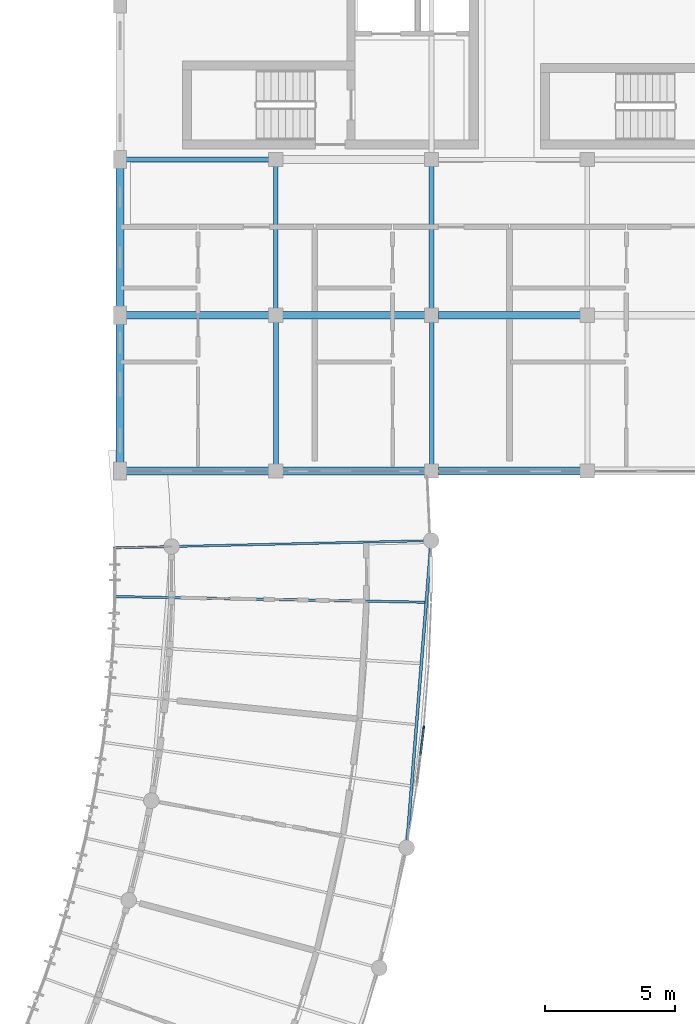
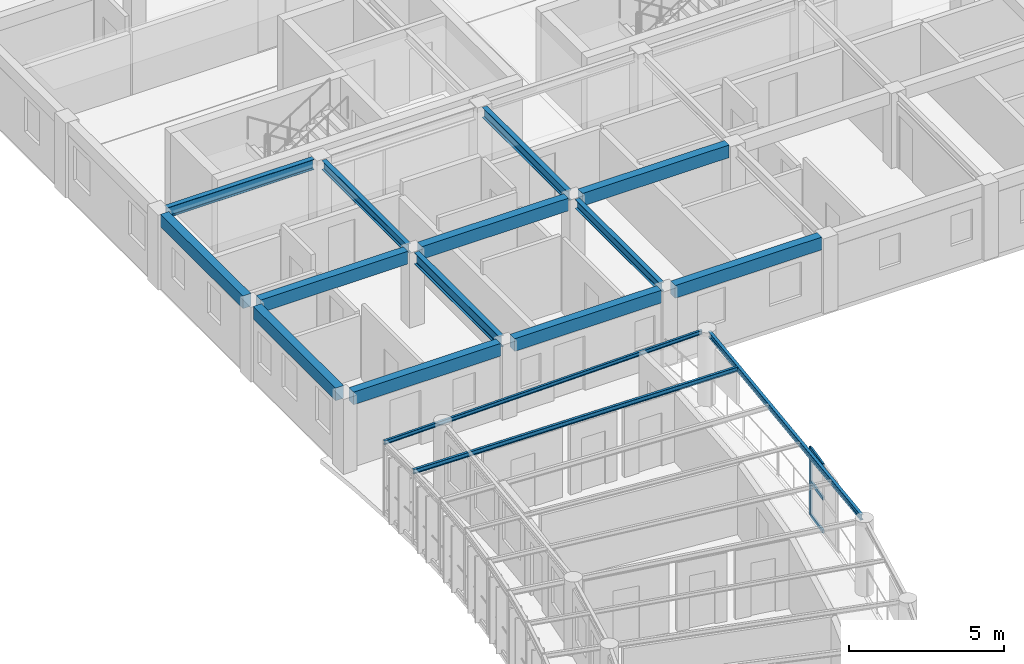
# One storey, part 24 of 101: 16 beams, 4 members, 1 element without a shape of its own.
"""IFC4 building model written with IfcOpenShell, lengths in metres."""

from ifc_helpers import new_model, si_unit, direction, frame, origin, origin_2d, place, context, subcontext, project, spatial, rectangle, i_section, extrude, material, layer, layer_set, material_profile, profile_set, type_object, element, aggregate, save


model = new_model("IFC4")

# Units and contexts
model_context = context("Model", 3, precision=1e-05, world=origin(), true_north=direction((0.0, 1.0)))
body_context = subcontext(model_context, "Body", "Model", "MODEL_VIEW")
ifc_project = project(units=[si_unit("LENGTHUNIT", "METRE"), si_unit("AREAUNIT", "SQUARE_METRE"), si_unit("VOLUMEUNIT", "CUBIC_METRE"), si_unit("PLANEANGLEUNIT", "RADIAN"), si_unit("MASSUNIT", "GRAM", prefix="KILO"), si_unit("POWERUNIT", "WATT"), si_unit("THERMODYNAMICTEMPERATUREUNIT", "KELVIN")], contexts=[model_context])

# Site, building, storey
site_placement = place(None, origin())
site = spatial("IfcSite", under=ifc_project, at=site_placement, CompositionType="ELEMENT")
building_placement = place(site_placement, origin())
building = spatial("IfcBuilding", under=site, at=building_placement, Name="Ruvembo Vaulted Housing Court", CompositionType="ELEMENT")
storey_placement = place(building_placement, frame((0.0, 0.0, 17.300048828125)))
storey = spatial("IfcBuildingStorey", under=building, at=storey_placement, Name="L05", CompositionType="ELEMENT", Elevation=17.300048828125)

# Beams
ifc_material_1 = material(Name="Steel S355J2", Category="steel")
ifc_material_profile_1 = material_profile(ifc_material_1, i_section(OverallWidth=0.08203125, OverallDepth=0.159912109375, WebThickness=0.0048828125, FlangeThickness=0.00732421875, FilletRadius=0.009033203125, at=origin_2d()), Name="IPE 160")
ifc_profile_set_1 = profile_set([ifc_material_profile_1], Name="Steel S355J2")
beam_type_1 = type_object("IfcBeamType", Name="BM-ST-IPE160", PredefinedType="JOIST", material=ifc_profile_set_1)
beam_1_placement = place(storey_placement, frame((59.794921875, 75.31591796875, 2.85205078125), z_axis=(-0.999741123788, -0.022752701078, 0.0), x_axis=(0.022752701078, -0.999741123788, 0.0)))
element("IfcBeam", 1, at=beam_1_placement, inside=storey, type_object=beam_type_1, Name="Scoop SC1 L05 Radial Steel Joist 19", PredefinedType="JOIST", context=body_context, shape_type="SweptSolid", body=[
    extrude(i_section(OverallWidth=0.08203125, OverallDepth=0.159912109375, WebThickness=0.0048828125, FlangeThickness=0.00732421875, FilletRadius=0.009033203125, at=origin_2d()), origin(), (0.0, 0.0, 1.0), 12.050048828125),
])
ifc_material_profile_2 = material_profile(ifc_material_1, i_section(OverallWidth=0.091064453125, OverallDepth=0.179931640625, WebThickness=0.00537109375, FlangeThickness=0.008056640625, FilletRadius=0.009033203125, at=origin_2d()), Name="IPE 180")
ifc_profile_set_2 = profile_set([ifc_material_profile_2], Name="Steel S355J2")
beam_type_2 = type_object("IfcBeamType", Name="BM-ST-IPE180", PredefinedType="JOIST", material=ifc_profile_set_2)
beam_2_placement = place(storey_placement, frame((59.74560546875, 72.9482421875, 2.842041015625), z_axis=(-0.999834442166, 0.018195830781, 0.0), x_axis=(-0.018195830781, -0.999834442166, 0.0)))
element("IfcBeam", 2, at=beam_2_placement, inside=storey, type_object=beam_type_2, Name="Scoop SC1 L05 Radial Steel Joist 18", PredefinedType="JOIST", context=body_context, shape_type="SweptSolid", body=[
    extrude(i_section(OverallWidth=0.091064453125, OverallDepth=0.179931640625, WebThickness=0.00537109375, FlangeThickness=0.008056640625, FilletRadius=0.009033203125, at=origin_2d()), origin(), (0.0, 0.0, 1.0), 11.9951171875),
])
ifc_material_profile_3 = material_profile(ifc_material_1, i_section(OverallWidth=0.110107421875, OverallDepth=0.219970703125, WebThickness=0.005859375, FlangeThickness=0.00927734375, FilletRadius=0.011962890625, at=origin_2d()), Name="IPE 220")
ifc_profile_set_3 = profile_set([ifc_material_profile_3], Name="Steel S355J2")
beam_type_3 = type_object("IfcBeamType", Name="BM-ST-IPE220", PredefinedType="SPANDREL", material=ifc_profile_set_3)
beam_3_placement = place(storey_placement, frame((59.055908203125, 63.684814453125, 2.823974609375), z_axis=(0.079604939597, 0.996826491217, 0.0), x_axis=(-0.996826491217, 0.079604939597, 0.0)))
element("IfcBeam", 3, at=beam_3_placement, inside=storey, type_object=beam_type_3, Name="Scoop SC1 L05 Chord Girder B14", PredefinedType="SPANDREL", context=body_context, shape_type="SweptSolid", body=[
    extrude(i_section(OverallWidth=0.110107421875, OverallDepth=0.219970703125, WebThickness=0.005859375, FlangeThickness=0.00927734375, FilletRadius=0.011962890625, at=origin_2d()), origin(), (0.0, 0.0, 1.0), 11.482421875),
])
ifc_material_profile_4 = material_profile(ifc_material_1, i_section(OverallWidth=0.169921875, OverallDepth=0.360107421875, WebThickness=0.008056640625, FlangeThickness=0.0126953125, FilletRadius=0.01806640625, at=origin_2d()), Name="IPE 360")
ifc_profile_set_4 = profile_set([ifc_material_profile_4], Name="Steel S355J2")
beam_type_4 = type_object("IfcBeamType", Name="BM-ST-IPE360", PredefinedType="BEAM", material=ifc_profile_set_4)
for number, where, z_axis, x_axis, name in (
    (4, (54.0, 84.260009765625, 2.745849609375), (0.0, 1.0, 0.0), (-1.0, 0.0, 0.0), "L05 Grid Beam Y #2463"),
    (5, (60.0, 78.260009765625, 2.745849609375), (0.0, 1.0, 0.0), (-1.0, 0.0, 0.0), "L05 Grid Beam Y #2466"),
):
    element("IfcBeam", number, at=place(storey_placement, frame(where, z_axis=z_axis, x_axis=x_axis)), inside=storey, type_object=beam_type_4, Name=name, PredefinedType="BEAM", context=body_context, shape_type="SweptSolid", body=[
        extrude(i_section(OverallWidth=0.169921875, OverallDepth=0.360107421875, WebThickness=0.008056640625, FlangeThickness=0.0126953125, FilletRadius=0.01806640625, at=origin_2d()), origin(), (0.0, 0.0, 1.0), 5.47998046875),
    ])
ifc_material_profile_5 = material_profile(ifc_material_1, i_section(OverallWidth=0.179931640625, OverallDepth=0.39990234375, WebThickness=0.008544921875, FlangeThickness=0.013427734375, FilletRadius=0.02099609375, at=origin_2d()), Name="IPE 400")
ifc_profile_set_5 = profile_set([ifc_material_profile_5], Name="Steel S355J2")
beam_type_5 = type_object("IfcBeamType", Name="BM-ST-IPE400", PredefinedType="BEAM", material=ifc_profile_set_5)
beam_4_placement = place(storey_placement, frame((48.235107421875, 90.0, 2.725830078125), z_axis=(1.0, 0.0, 0.0), x_axis=(0.0, 1.0, 0.0)))
element("IfcBeam", 6, at=beam_4_placement, inside=storey, type_object=beam_type_5, Name="L05 Grid Beam X #2386", PredefinedType="BEAM", context=body_context, shape_type="SweptSolid", body=[
    extrude(i_section(OverallWidth=0.179931640625, OverallDepth=0.39990234375, WebThickness=0.008544921875, FlangeThickness=0.013427734375, FilletRadius=0.02099609375, at=origin_2d()), origin(), (0.0, 0.0, 1.0), 5.5048828125),
])
beam_5_placement = place(storey_placement, frame((60.0, 84.260009765625, 2.725830078125), z_axis=(0.0, 1.0, 0.0), x_axis=(-1.0, 0.0, 0.0)))
element("IfcBeam", 7, at=beam_5_placement, inside=storey, type_object=beam_type_5, Name="L05 Grid Beam Y #2467", PredefinedType="BEAM", context=body_context, shape_type="SweptSolid", body=[
    extrude(i_section(OverallWidth=0.179931640625, OverallDepth=0.39990234375, WebThickness=0.008544921875, FlangeThickness=0.013427734375, FilletRadius=0.02099609375, at=origin_2d()), origin(), (0.0, 0.0, 1.0), 5.47998046875),
])
ifc_material_profile_6 = material_profile(ifc_material_1, i_section(OverallWidth=0.18994140625, OverallDepth=0.449951171875, WebThickness=0.009521484375, FlangeThickness=0.0146484375, FilletRadius=0.02099609375, at=origin_2d()), Name="IPE 450")
ifc_profile_set_6 = profile_set([ifc_material_profile_6], Name="Steel S355J2")
beam_type_6 = type_object("IfcBeamType", Name="BM-ST-IPE450", PredefinedType="BEAM", material=ifc_profile_set_6)
beam_6_placement = place(storey_placement, frame((54.0, 78.260009765625, 2.700927734375), z_axis=(0.0, 1.0, 0.0), x_axis=(-1.0, 0.0, 0.0)))
element("IfcBeam", 8, at=beam_6_placement, inside=storey, type_object=beam_type_6, Name="L05 Grid Beam Y #2462", PredefinedType="BEAM", context=body_context, shape_type="SweptSolid", body=[
    extrude(i_section(OverallWidth=0.18994140625, OverallDepth=0.449951171875, WebThickness=0.009521484375, FlangeThickness=0.0146484375, FilletRadius=0.02099609375, at=origin_2d()), origin(), (0.0, 0.0, 1.0), 5.47998046875),
])

# Curtain wall, members
ifc_material_2 = material(Name="Anodised Aluminium and Solar-Control Glass", Category="aluminium")
ifc_layer = layer(ifc_material_2, 0.1201171875, Name="Anodised Aluminium and Solar-Control Glass")
ifc_layer_set = layer_set([ifc_layer], Name="Anodised Aluminium and Solar-Control Glass")
curtain_wall_type = type_object("IfcCurtainWallType", Name="CW-SCOOP-GAL", PredefinedType="NOTDEFINED", material=ifc_layer_set)
curtain_wall_placement = place(storey_placement, origin())
curtain_wall = element("IfcCurtainWall", 9, at=curtain_wall_placement, inside=storey, type_object=curtain_wall_type, Name="L05 Curtain Wall CW-L05-0028", PredefinedType="NOTDEFINED")
ifc_material_3 = material(Name="Anodised Aluminium 6063-T6", Category="aluminium")
ifc_material_profile_7 = material_profile(ifc_material_3, rectangle(XDim=0.06005859375, YDim=0.139892578125, at=origin_2d()), Name="ALU 60x140")
ifc_profile_set_7 = profile_set([ifc_material_profile_7], Name="Anodised Aluminium 6063-T6")
member_type_1 = type_object("IfcMemberType", Name="CW-MUL-60x140", PredefinedType="MULLION", material=ifc_profile_set_7)
member_1_placement = place(storey_placement, frame((59.69970703125, 68.12060546875, 0.0), z_axis=(0.0, 0.0, 1.0), x_axis=(-0.992725352187, 0.12040089337, 0.0)))
member_1 = element("IfcMember", 10, at=member_1_placement, type_object=member_type_1, Name="CW6 mullion 3", PredefinedType="MULLION", context=body_context, shape_type="SweptSolid", body=[
    extrude(rectangle(XDim=0.06005859375, YDim=0.139892578125, at=origin_2d()), origin(), (0.0, 0.0, 1.0), 2.68994140625),
])
ifc_material_profile_8 = material_profile(ifc_material_3, rectangle(XDim=0.06494140625, YDim=0.135009765625, at=origin_2d()), Name="ALU 65x135")
ifc_profile_set_8 = profile_set([ifc_material_profile_8], Name="Anodised Aluminium 6063-T6")
member_type_2 = type_object("IfcMemberType", Name="CW-TRN-65x135", PredefinedType="USERDEFINED", material=ifc_profile_set_8)
member_2_placement = place(storey_placement, frame((59.56982421875, 67.05029296875, 0.032470703125), z_axis=(0.120421796404, 0.992722816778, 0.0), x_axis=(-0.992722816778, 0.120421796404, 0.0)))
member_2 = element("IfcMember", 11, at=member_2_placement, type_object=member_type_2, Name="CW6 transom 2.1", ObjectType="TRANSOM", PredefinedType="USERDEFINED", context=body_context, shape_type="SweptSolid", body=[
    extrude(rectangle(XDim=0.06494140625, YDim=0.135009765625, at=origin_2d()), origin(), (0.0, 0.0, 1.0), 1.048095703125),
])
member_3_placement = place(storey_placement, frame((59.56982421875, 67.05029296875, 1.344970703125), z_axis=(0.120421796404, 0.992722816778, 0.0), x_axis=(-0.992722816778, 0.120421796404, 0.0)))
member_3 = element("IfcMember", 12, at=member_3_placement, type_object=member_type_2, Name="CW6 transom 2.2", ObjectType="TRANSOM", PredefinedType="USERDEFINED", context=body_context, shape_type="SweptSolid", body=[
    extrude(rectangle(XDim=0.06494140625, YDim=0.135009765625, at=origin_2d()), origin(), (0.0, 0.0, 1.0), 1.048095703125),
])
member_4_placement = place(storey_placement, frame((59.56982421875, 67.05029296875, 2.657470703125), z_axis=(0.120421796404, 0.992722816778, 0.0), x_axis=(-0.992722816778, 0.120421796404, 0.0)))
member_4 = element("IfcMember", 13, at=member_4_placement, type_object=member_type_2, Name="CW6 transom 2.3", ObjectType="TRANSOM", PredefinedType="USERDEFINED", context=body_context, shape_type="SweptSolid", body=[
    extrude(rectangle(XDim=0.06494140625, YDim=0.135009765625, at=origin_2d()), origin(), (0.0, 0.0, 1.0), 1.048095703125),
])
aggregate(curtain_wall, [member_1, member_2, member_3, member_4])

# Beams
ifc_material_4 = material(Name="Concrete C35/45", Category="concrete")
ifc_material_profile_9 = material_profile(ifc_material_4, rectangle(XDim=0.300048828125, YDim=0.5, at=origin_2d()), Name="RC 300x500")
ifc_profile_set_9 = profile_set([ifc_material_profile_9], Name="Concrete C35/45")
beam_type_7 = type_object("IfcBeamType", Name="SP-RC-300x500", PredefinedType="SPANDREL", material=ifc_profile_set_9)
beam_7_placement = place(storey_placement, frame((48.235107421875, 78.0, 2.71484375), z_axis=(1.0, 0.0, 0.0), x_axis=(0.0, 1.0, 0.0)))
element("IfcBeam", 14, at=beam_7_placement, inside=storey, type_object=beam_type_7, Name="L05 Grid Beam X #2364", PredefinedType="SPANDREL", context=body_context, shape_type="SweptSolid", body=[
    extrude(rectangle(XDim=0.300048828125, YDim=0.5, at=origin_2d()), origin(), (0.0, 0.0, 1.0), 5.5048828125),
])
for number, where, z_axis, x_axis, name in (
    (15, (54.260009765625, 78.0, 2.71484375), (1.0, 0.0, 0.0), (0.0, 1.0, 0.0), "L05 Grid Beam X #2365"),
    (16, (60.260009765625, 78.0, 2.71484375), (1.0, 0.0, 0.0), (0.0, 1.0, 0.0), "L05 Grid Beam X #2366"),
):
    element("IfcBeam", number, at=place(storey_placement, frame(where, z_axis=z_axis, x_axis=x_axis)), inside=storey, type_object=beam_type_7, Name=name, PredefinedType="SPANDREL", context=body_context, shape_type="SweptSolid", body=[
        extrude(rectangle(XDim=0.300048828125, YDim=0.5, at=origin_2d()), origin(), (0.0, 0.0, 1.0), 5.47998046875),
    ])
beam_8_placement = place(storey_placement, frame((48.235107421875, 84.0, 2.71484375), z_axis=(1.0, 0.0, 0.0), x_axis=(0.0, 1.0, 0.0)))
element("IfcBeam", 17, at=beam_8_placement, inside=storey, type_object=beam_type_7, Name="L05 Grid Beam X #2375", PredefinedType="SPANDREL", context=body_context, shape_type="SweptSolid", body=[
    extrude(rectangle(XDim=0.300048828125, YDim=0.5, at=origin_2d()), origin(), (0.0, 0.0, 1.0), 5.5048828125),
])
for number, where, z_axis, x_axis, name in (
    (18, (54.260009765625, 84.0, 2.71484375), (1.0, 0.0, 0.0), (0.0, 1.0, 0.0), "L05 Grid Beam X #2376"),
    (19, (60.260009765625, 84.0, 2.71484375), (1.0, 0.0, 0.0), (0.0, 1.0, 0.0), "L05 Grid Beam X #2377"),
):
    element("IfcBeam", number, at=place(storey_placement, frame(where, z_axis=z_axis, x_axis=x_axis)), inside=storey, type_object=beam_type_7, Name=name, PredefinedType="SPANDREL", context=body_context, shape_type="SweptSolid", body=[
        extrude(rectangle(XDim=0.300048828125, YDim=0.5, at=origin_2d()), origin(), (0.0, 0.0, 1.0), 5.47998046875),
    ])
for number, where, z_axis, x_axis, name in (
    (20, (48.0, 78.3349609375, 2.71484375), (0.0, 1.0, 0.0), (-1.0, 0.0, 0.0), "L05 Grid Beam Y #2456"),
    (21, (48.0, 84.3349609375, 2.71484375), (0.0, 1.0, 0.0), (-1.0, 0.0, 0.0), "L05 Grid Beam Y #2457"),
):
    element("IfcBeam", number, at=place(storey_placement, frame(where, z_axis=z_axis, x_axis=x_axis)), inside=storey, type_object=beam_type_7, Name=name, PredefinedType="SPANDREL", context=body_context, shape_type="SweptSolid", body=[
        extrude(rectangle(XDim=0.300048828125, YDim=0.5, at=origin_2d()), origin(), (0.0, 0.0, 1.0), 5.330078125),
    ])

save(model, "model.ifc")
